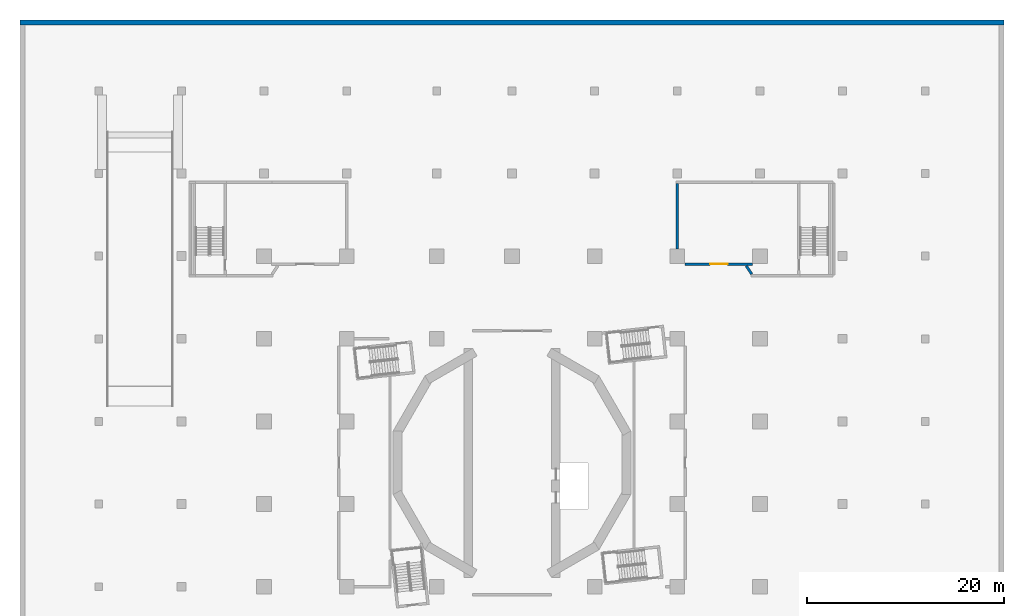
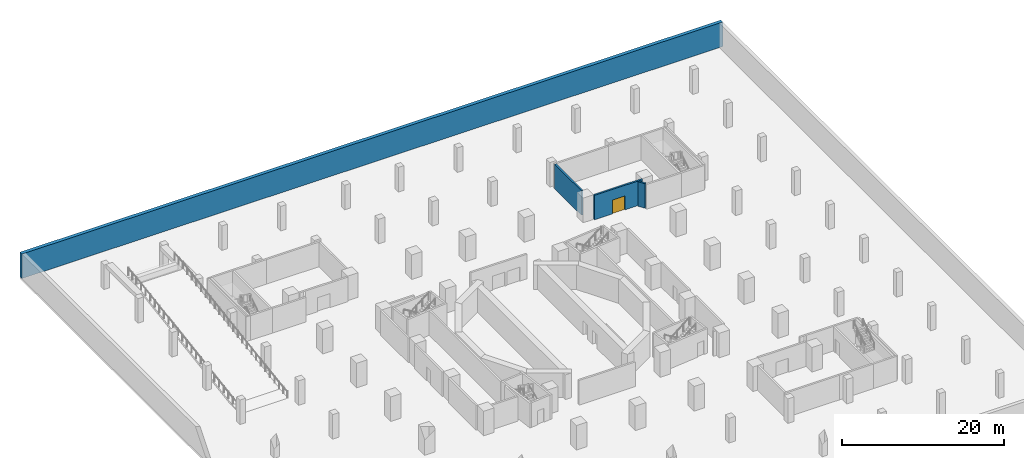
# One storey, part 9 of 18: 4 walls, 1 door, 1 opening.
"""IFC4 building model written with IfcOpenShell, lengths in metres."""

from ifc_helpers import new_model, si_unit, direction, frame, frame_2d, origin, place, context, subcontext, project, spatial, rectangle, extrude, material, layer, layer_set, type_object, element, fill, save


model = new_model("IFC4")

# Units and contexts
model_context = context("Model", 3, precision=1e-05, world=origin(), true_north=direction((0.0, 1.0)))
body_context = subcontext(model_context, "Body", "Model", "MODEL_VIEW")
ifc_project = project(units=[si_unit("LENGTHUNIT", "METRE"), si_unit("AREAUNIT", "SQUARE_METRE"), si_unit("VOLUMEUNIT", "CUBIC_METRE"), si_unit("PLANEANGLEUNIT", "RADIAN"), si_unit("MASSUNIT", "GRAM", prefix="KILO")], contexts=[model_context])

# Site, building, storey
site_placement = place(None, origin())
site = spatial("IfcSite", under=ifc_project, at=site_placement, CompositionType="ELEMENT")
building_placement = place(site_placement, origin())
building = spatial("IfcBuilding", under=site, at=building_placement, Name="Cantera Rosa Tower", CompositionType="ELEMENT")
storey_placement = place(building_placement, frame((0.0, 0.0, -13.0)))
storey = spatial("IfcBuildingStorey", under=building, at=storey_placement, Name="B3", CompositionType="ELEMENT", Elevation=-13.0)

# Walls
ifc_material_1 = material(Name="Masonry blockwork", Category="masonry")
ifc_layer_1 = layer(ifc_material_1, 0.25)
ifc_layer_set_1 = layer_set([ifc_layer_1], Name="Fire-rated external wall 250")
wall_type_1 = type_object("IfcWallType", Name="Fire-rated external wall 250", PredefinedType="PARTITIONING", material=ifc_layer_set_1)
wall_1_placement = place(storey_placement, frame((16.800048828125, 21.75, 0.0), z_axis=(0.0, 0.0, 1.0), x_axis=(0.0, 1.0, 0.0)))
element("IfcWall", 1, at=wall_1_placement, inside=storey, type_object=wall_type_1, Name="Fire wall B3-35", PredefinedType="PARTITIONING", context=body_context, shape_type="SweptSolid", body=[
    extrude(rectangle(XDim=6.625, YDim=0.25, at=frame_2d((3.3125, 0.0))), origin(), (0.0, 0.0, 1.0), 3.699951171875),
])
ifc_material_2 = material(Name="Masonry blockwork", Category="masonry")
ifc_layer_2 = layer(ifc_material_2, 0.25)
ifc_layer_set_2 = layer_set([ifc_layer_2], Name="Fire-rated wall 250")
wall_type_2 = type_object("IfcWallType", Name="Fire-rated wall 250", PredefinedType="PARTITIONING", material=ifc_layer_set_2)
wall_2_placement = place(storey_placement, frame((24.366455078125, 19.1748046875, 0.0), z_axis=(0.0, 0.0, 1.0), x_axis=(-0.559172704165, 0.829051196801, 0.0)))
element("IfcWall", 2, at=wall_2_placement, inside=storey, type_object=wall_type_2, Name="Fire wall B3-37", PredefinedType="PARTITIONING", context=body_context, shape_type="SweptSolid", body=[
    extrude(rectangle(XDim=1.005859375, YDim=0.25, at=frame_2d((0.5029296875, 0.0))), origin(), (0.0, 0.0, 1.0), 3.699951171875),
])

# Wall, opening, door
wall_3_placement = place(storey_placement, frame((17.60009765625, 20.199951171875, 0.0), z_axis=(0.0, 0.0, 1.0), x_axis=(1.0, 0.0, 0.0)))
wall_3 = element("IfcWall", 3, at=wall_3_placement, inside=storey, type_object=wall_type_2, Name="Fire wall B3-39", PredefinedType="PARTITIONING", context=body_context, shape_type="SweptSolid", body=[
    extrude(rectangle(XDim=6.849853515625, YDim=0.25, at=frame_2d((3.4248046875, 0.0))), origin(), (0.0, 0.0, 1.0), 3.699951171875),
])
opening_placement = place(wall_3_placement, frame((2.52490234375, 0.0, 0.0)))
opening = element("IfcOpeningElement", 4, at=opening_placement, cuts=wall_3, Name="Opening B3-001", PredefinedType="OPENING", context=body_context, shape_type="SweptSolid", body=[
    extrude(rectangle(XDim=1.800048828125, YDim=2.10009765625, at=frame_2d((0.89990234375, 1.050048828125))), frame((0.0, 0.135009765625, 0.0), z_axis=(0.0, -1.0, 0.0), x_axis=(1.0, 0.0, 0.0)), (0.0, 0.0, 1.0), 0.27001953125),
])
ifc_material_3 = material(Name="Steel S355J2 (EN 10025-2)", Category="steel")
door_type = type_object("IfcDoorType", Name="Fire double door 1800x2100", OperationType="NOTDEFINED", PredefinedType="DOOR", material=ifc_material_3)
door_placement = place(opening_placement, origin())
door = element("IfcDoor", 5, at=door_placement, inside=storey, type_object=door_type, Name="Door B3-001", OperationType="DOUBLE_DOOR_SINGLE_SWING", OverallHeight=2.10009765625, OverallWidth=1.800048828125, PredefinedType="DOOR", context=body_context, shape_type="SweptSolid", body=[
    extrude(rectangle(XDim=1.800048828125, YDim=2.10009765625, at=frame_2d((0.89990234375, 1.050048828125))), frame((0.0, 0.02490234375, 0.0), z_axis=(0.0, -1.0, 0.0), x_axis=(1.0, 0.0, 0.0)), (0.0, 0.0, 1.0), 0.050048828125),
])
fill(opening, door)

# Wall
ifc_material_4 = material(Name="Concrete C40/50", Category="concrete")
ifc_layer_3 = layer(ifc_material_4, 0.5)
ifc_layer_set_3 = layer_set([ifc_layer_3], Name="Retaining wall 500")
wall_type_3 = type_object("IfcWallType", Name="Retaining wall 500", PredefinedType="SOLIDWALL", material=ifc_layer_set_3)
wall_4_placement = place(storey_placement, frame((-50.0, 44.75, 0.0), z_axis=(0.0, 0.0, 1.0), x_axis=(1.0, 0.0, 0.0)))
element("IfcWall", 6, at=wall_4_placement, inside=storey, type_object=wall_type_3, Name="Retaining wall N B3", PredefinedType="SOLIDWALL", context=body_context, shape_type="SweptSolid", body=[
    extrude(rectangle(XDim=100.0, YDim=0.5, at=frame_2d((50.0, 0.0))), origin(), (0.0, 0.0, 1.0), 3.699951171875),
])

save(model, "model.ifc")
